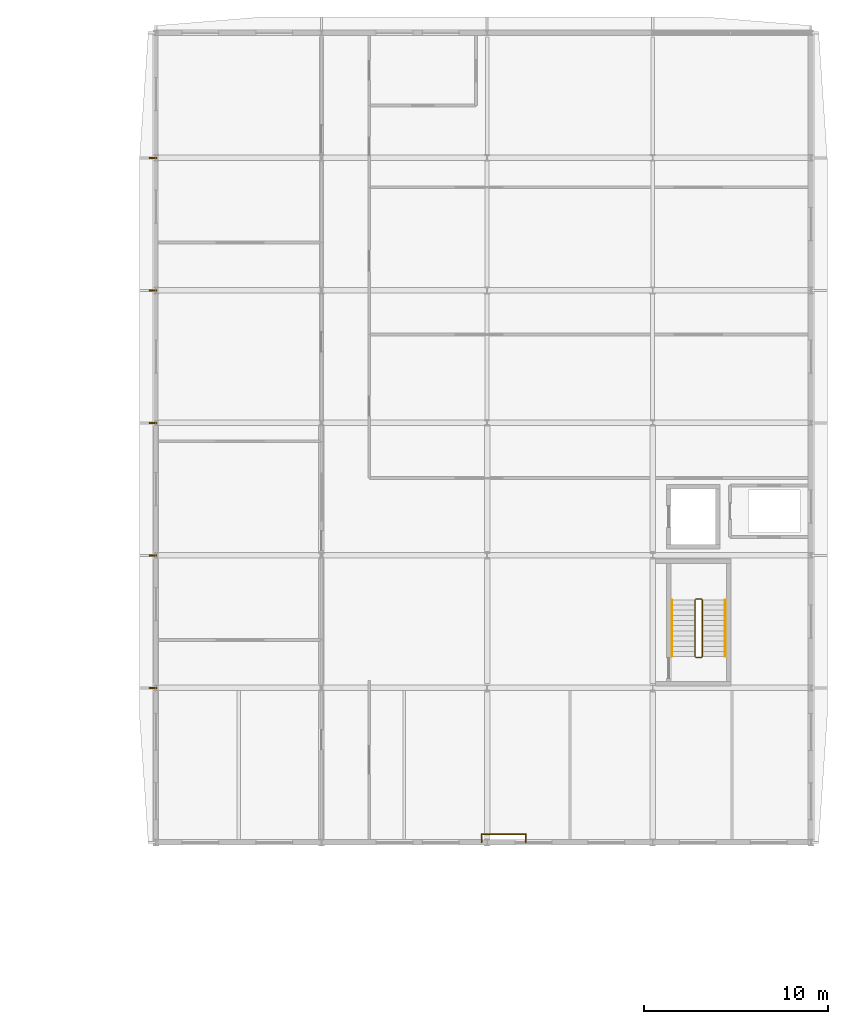
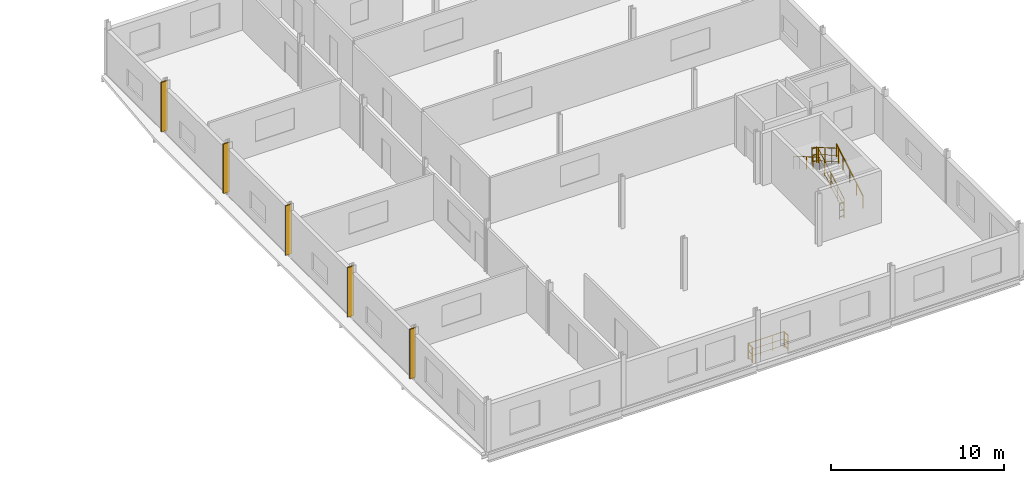
# One storey, part 30 of 30: 9 railings, 5 shading devices.
"""IFC4 building model written with IfcOpenShell, lengths in metres."""

from ifc_helpers import new_model, si_unit, direction, frame, origin, origin_2d, place, context, subcontext, project, spatial, rectangle, circle, extrude, material, type_object, element, save


model = new_model("IFC4")

# Units and contexts
model_context = context("Model", 3, precision=1e-05, world=origin(), true_north=direction((0.0, 1.0)))
body_context = subcontext(model_context, "Body", "Model", "MODEL_VIEW")
ifc_project = project(units=[si_unit("LENGTHUNIT", "METRE"), si_unit("AREAUNIT", "SQUARE_METRE"), si_unit("VOLUMEUNIT", "CUBIC_METRE"), si_unit("PLANEANGLEUNIT", "RADIAN"), si_unit("MASSUNIT", "GRAM", prefix="KILO")], contexts=[model_context])

# Site, building, storey
site_placement = place(None, origin())
site = spatial("IfcSite", under=ifc_project, at=site_placement, CompositionType="ELEMENT")
building_placement = place(site_placement, origin())
building = spatial("IfcBuilding", under=site, at=building_placement, Name="Vinh Khe Railworks Police Headquarters", CompositionType="ELEMENT")
storey_placement = place(building_placement, frame((0.0, 0.0, 21.0)))
storey = spatial("IfcBuildingStorey", under=building, at=storey_placement, Name="L05", CompositionType="ELEMENT", Elevation=21.0)

# Railings
ifc_material_1 = material(Name="Painted tubular steel", Category="steel")
railing_type_1 = type_object("IfcRailingType", Name="RL-GUARD-1100", PredefinedType="GUARDRAIL", material=ifc_material_1)
railing_1_placement = place(storey_placement, frame((107.699951171875, 132.5, 0.16259765625)))
element("IfcRailing", 1, at=railing_1_placement, inside=storey, type_object=railing_type_1, Name="L05 ST-03 stair guard 1", PredefinedType="GUARDRAIL", context=body_context, shape_type="SweptSolid", body=[
    extrude(circle(Radius=0.02392578125, at=origin_2d()), frame((0.0, 0.0, 1.076171875), z_axis=(0.0, 0.864920483161, 0.501908913857), x_axis=(-1.0, 0.0, 0.0)), (0.0, 0.0, 1.0), 3.56103515625),
    extrude(circle(Radius=0.01416015625, at=origin_2d()), frame((0.0, 0.0, 0.132080078125), z_axis=(0.0, 0.864920483161, 0.501908913857), x_axis=(-1.0, 0.0, 0.0)), (0.0, 0.0, 1.0), 3.56103515625),
    extrude(circle(Radius=0.01416015625, at=origin_2d()), frame((0.0, 0.0, 0.572021484375), z_axis=(0.0, 0.864920483161, 0.501908913857), x_axis=(-1.0, 0.0, 0.0)), (0.0, 0.0, 1.0), 3.56103515625),
    extrude(circle(Radius=0.02099609375, at=origin_2d()), origin(), (0.0, 0.0, 1.0), 1.052001953125),
    extrude(circle(Radius=0.02099609375, at=origin_2d()), frame((0.0, 0.77001953125, 0.44677734375)), (0.0, 0.0, 1.0), 1.052001953125),
    extrude(circle(Radius=0.02099609375, at=origin_2d()), frame((0.0, 1.5400390625, 0.8935546875)), (0.0, 0.0, 1.0), 1.052001953125),
    extrude(circle(Radius=0.02099609375, at=origin_2d()), frame((0.0, 2.31005859375, 1.340576171875)), (0.0, 0.0, 1.0), 1.052001953125),
    extrude(circle(Radius=0.02099609375, at=origin_2d()), frame((0.0, 3.080078125, 1.787353515625)), (0.0, 0.0, 1.0), 1.052001953125),
])
railing_2_placement = place(storey_placement, frame((107.64990234375, 135.6298828125, 1.949951171875)))
element("IfcRailing", 2, at=railing_2_placement, inside=storey, type_object=railing_type_1, Name="L05 ST-03 stair guard 2", PredefinedType="GUARDRAIL", context=body_context, shape_type="SweptSolid", body=[
    extrude(circle(Radius=0.02392578125, at=origin_2d()), frame((0.0, 0.0, 1.076171875), z_axis=(-1.0, 0.0, 0.0), x_axis=(0.0, -1.0, 0.0)), (0.0, 0.0, 1.0), 0.2998046875),
    extrude(circle(Radius=0.01416015625, at=origin_2d()), frame((0.0, 0.0, 0.132080078125), z_axis=(-1.0, 0.0, 0.0), x_axis=(0.0, -1.0, 0.0)), (0.0, 0.0, 1.0), 0.2998046875),
    extrude(circle(Radius=0.01416015625, at=origin_2d()), frame((0.0, 0.0, 0.572021484375), z_axis=(-1.0, 0.0, 0.0), x_axis=(0.0, -1.0, 0.0)), (0.0, 0.0, 1.0), 0.2998046875),
    extrude(circle(Radius=0.02099609375, at=origin_2d()), origin(), (0.0, 0.0, 1.0), 1.052001953125),
    extrude(circle(Radius=0.02099609375, at=origin_2d()), frame((-0.2998046875, 0.0, 0.0)), (0.0, 0.0, 1.0), 1.052001953125),
])
railing_3_placement = place(storey_placement, frame((107.300048828125, 135.580078125, 2.112548828125)))
element("IfcRailing", 3, at=railing_3_placement, inside=storey, type_object=railing_type_1, Name="L05 ST-03 stair guard 3", PredefinedType="GUARDRAIL", context=body_context, shape_type="SweptSolid", body=[
    extrude(circle(Radius=0.02392578125, at=origin_2d()), frame((0.0, 0.0, 1.076171875), z_axis=(0.0, -0.864920483161, 0.501908913857), x_axis=(1.0, 0.0, 0.0)), (0.0, 0.0, 1.0), 3.56103515625),
    extrude(circle(Radius=0.01416015625, at=origin_2d()), frame((0.0, 0.0, 0.132080078125), z_axis=(0.0, -0.864920483161, 0.501908913857), x_axis=(1.0, 0.0, 0.0)), (0.0, 0.0, 1.0), 3.56103515625),
    extrude(circle(Radius=0.01416015625, at=origin_2d()), frame((0.0, 0.0, 0.572021484375), z_axis=(0.0, -0.864920483161, 0.501908913857), x_axis=(1.0, 0.0, 0.0)), (0.0, 0.0, 1.0), 3.56103515625),
    extrude(circle(Radius=0.02099609375, at=origin_2d()), origin(), (0.0, 0.0, 1.0), 1.052001953125),
    extrude(circle(Radius=0.02099609375, at=origin_2d()), frame((0.0, -0.77001953125, 0.44677734375)), (0.0, 0.0, 1.0), 1.052001953125),
    extrude(circle(Radius=0.02099609375, at=origin_2d()), frame((0.0, -1.5400390625, 0.8935546875)), (0.0, 0.0, 1.0), 1.052001953125),
    extrude(circle(Radius=0.02099609375, at=origin_2d()), frame((0.0, -2.31005859375, 1.340576171875)), (0.0, 0.0, 1.0), 1.052001953125),
    extrude(circle(Radius=0.02099609375, at=origin_2d()), frame((0.0, -3.080078125, 1.787353515625)), (0.0, 0.0, 1.0), 1.052001953125),
])
railing_4_placement = place(storey_placement, frame((107.64990234375, 132.449951171875, 0.0)))
element("IfcRailing", 4, at=railing_4_placement, inside=storey, type_object=railing_type_1, Name="L05 ST-03 stair guard 4", PredefinedType="GUARDRAIL", context=body_context, shape_type="SweptSolid", body=[
    extrude(circle(Radius=0.02392578125, at=origin_2d()), frame((0.0, 0.0, 1.076171875), z_axis=(-1.0, 0.0, 0.0), x_axis=(0.0, -1.0, 0.0)), (0.0, 0.0, 1.0), 0.2998046875),
    extrude(circle(Radius=0.01416015625, at=origin_2d()), frame((0.0, 0.0, 0.132080078125), z_axis=(-1.0, 0.0, 0.0), x_axis=(0.0, -1.0, 0.0)), (0.0, 0.0, 1.0), 0.2998046875),
    extrude(circle(Radius=0.01416015625, at=origin_2d()), frame((0.0, 0.0, 0.572021484375), z_axis=(-1.0, 0.0, 0.0), x_axis=(0.0, -1.0, 0.0)), (0.0, 0.0, 1.0), 0.2998046875),
    extrude(circle(Radius=0.02099609375, at=origin_2d()), origin(), (0.0, 0.0, 1.0), 1.052001953125),
    extrude(circle(Radius=0.02099609375, at=origin_2d()), frame((-0.2998046875, 0.0, 0.0)), (0.0, 0.0, 1.0), 1.052001953125),
])
railing_5_placement = place(storey_placement, frame((95.699951171875, 122.39990234375, 0.0)))
element("IfcRailing", 5, at=railing_5_placement, inside=storey, type_object=railing_type_1, Name="Slab Corner Notch Guard L05-105", PredefinedType="GUARDRAIL", context=body_context, shape_type="SweptSolid", body=[
    extrude(circle(Radius=0.02392578125, at=origin_2d()), frame((0.0, 0.0, 1.09619140625), z_axis=(0.0, 1.0, 0.0), x_axis=(-1.0, 0.0, 0.0)), (0.0, 0.0, 1.0), 0.4501953125),
    extrude(circle(Radius=0.01416015625, at=origin_2d()), frame((0.0, 0.0, 0.134521484375), z_axis=(0.0, 1.0, 0.0), x_axis=(-1.0, 0.0, 0.0)), (0.0, 0.0, 1.0), 0.4501953125),
    extrude(circle(Radius=0.01416015625, at=origin_2d()), frame((0.0, 0.0, 0.58251953125), z_axis=(0.0, 1.0, 0.0), x_axis=(-1.0, 0.0, 0.0)), (0.0, 0.0, 1.0), 0.4501953125),
    extrude(circle(Radius=0.02099609375, at=origin_2d()), origin(), (0.0, 0.0, 1.0), 1.072021484375),
    extrude(circle(Radius=0.02099609375, at=origin_2d()), frame((0.0, 0.4501953125, 0.0)), (0.0, 0.0, 1.0), 1.072021484375),
])
railing_6_placement = place(storey_placement, frame((95.699951171875, 122.85009765625, 0.0)))
element("IfcRailing", 6, at=railing_6_placement, inside=storey, type_object=railing_type_1, Name="Slab Corner Notch Guard L05-106", PredefinedType="GUARDRAIL", context=body_context, shape_type="SweptSolid", body=[
    extrude(circle(Radius=0.02392578125, at=origin_2d()), frame((0.0, 0.0, 1.09619140625), z_axis=(1.0, 0.0, 0.0), x_axis=(0.0, 1.0, 0.0)), (0.0, 0.0, 1.0), 2.400146484375),
    extrude(circle(Radius=0.01416015625, at=origin_2d()), frame((0.0, 0.0, 0.134521484375), z_axis=(1.0, 0.0, 0.0), x_axis=(0.0, 1.0, 0.0)), (0.0, 0.0, 1.0), 2.400146484375),
    extrude(circle(Radius=0.01416015625, at=origin_2d()), frame((0.0, 0.0, 0.58251953125), z_axis=(1.0, 0.0, 0.0), x_axis=(0.0, 1.0, 0.0)), (0.0, 0.0, 1.0), 2.400146484375),
    extrude(circle(Radius=0.02099609375, at=origin_2d()), origin(), (0.0, 0.0, 1.0), 1.072021484375),
    extrude(circle(Radius=0.02099609375, at=origin_2d()), frame((0.800048828125, 0.0, 0.0)), (0.0, 0.0, 1.0), 1.072021484375),
    extrude(circle(Radius=0.02099609375, at=origin_2d()), frame((1.60009765625, 0.0, 0.0)), (0.0, 0.0, 1.0), 1.072021484375),
    extrude(circle(Radius=0.02099609375, at=origin_2d()), frame((2.400146484375, 0.0, 0.0)), (0.0, 0.0, 1.0), 1.072021484375),
])
railing_7_placement = place(storey_placement, frame((98.10009765625, 122.85009765625, 0.0)))
element("IfcRailing", 7, at=railing_7_placement, inside=storey, type_object=railing_type_1, Name="Slab Corner Notch Guard L05-107", PredefinedType="GUARDRAIL", context=body_context, shape_type="SweptSolid", body=[
    extrude(circle(Radius=0.02392578125, at=origin_2d()), frame((0.0, 0.0, 1.09619140625), z_axis=(0.0, -1.0, 0.0), x_axis=(1.0, 0.0, 0.0)), (0.0, 0.0, 1.0), 0.4501953125),
    extrude(circle(Radius=0.01416015625, at=origin_2d()), frame((0.0, 0.0, 0.134521484375), z_axis=(0.0, -1.0, 0.0), x_axis=(1.0, 0.0, 0.0)), (0.0, 0.0, 1.0), 0.4501953125),
    extrude(circle(Radius=0.01416015625, at=origin_2d()), frame((0.0, 0.0, 0.58251953125), z_axis=(0.0, -1.0, 0.0), x_axis=(1.0, 0.0, 0.0)), (0.0, 0.0, 1.0), 0.4501953125),
    extrude(circle(Radius=0.02099609375, at=origin_2d()), origin(), (0.0, 0.0, 1.0), 1.072021484375),
    extrude(circle(Radius=0.02099609375, at=origin_2d()), frame((0.0, -0.4501953125, 0.0)), (0.0, 0.0, 1.0), 1.072021484375),
])
ifc_material_2 = material(Name="Brushed stainless steel", Category="steel")
railing_type_2 = type_object("IfcRailingType", Name="RL-HAND-900", PredefinedType="HANDRAIL", material=ifc_material_2)
railing_8_placement = place(storey_placement, frame((108.949951171875, 132.5, 0.16259765625)))
element("IfcRailing", 8, at=railing_8_placement, inside=storey, type_object=railing_type_2, Name="L05 ST-03 stair handrail 1", PredefinedType="HANDRAIL", context=body_context, shape_type="SweptSolid", body=[
    extrude(circle(Radius=0.02392578125, at=origin_2d()), frame((0.0, 0.0, 0.8759765625), z_axis=(0.0, 0.864920483161, 0.501908913857), x_axis=(-1.0, 0.0, 0.0)), (0.0, 0.0, 1.0), 3.56103515625),
    extrude(circle(Radius=0.02099609375, at=origin_2d()), origin(), (0.0, 0.0, 1.0), 0.851806640625),
    extrude(circle(Radius=0.02099609375, at=origin_2d()), frame((0.0, 0.77001953125, 0.44677734375)), (0.0, 0.0, 1.0), 0.851806640625),
    extrude(circle(Radius=0.02099609375, at=origin_2d()), frame((0.0, 1.5400390625, 0.8935546875)), (0.0, 0.0, 1.0), 0.851806640625),
    extrude(circle(Radius=0.02099609375, at=origin_2d()), frame((0.0, 2.31005859375, 1.340576171875)), (0.0, 0.0, 1.0), 0.851806640625),
    extrude(circle(Radius=0.02099609375, at=origin_2d()), frame((0.0, 3.080078125, 1.787353515625)), (0.0, 0.0, 1.0), 0.851806640625),
])
railing_9_placement = place(storey_placement, frame((106.050048828125, 135.580078125, 2.112548828125)))
element("IfcRailing", 9, at=railing_9_placement, inside=storey, type_object=railing_type_2, Name="L05 ST-03 stair handrail 2", PredefinedType="HANDRAIL", context=body_context, shape_type="SweptSolid", body=[
    extrude(circle(Radius=0.02392578125, at=origin_2d()), frame((0.0, 0.0, 0.8759765625), z_axis=(0.0, -0.864920483161, 0.501908913857), x_axis=(1.0, 0.0, 0.0)), (0.0, 0.0, 1.0), 3.56103515625),
    extrude(circle(Radius=0.02099609375, at=origin_2d()), origin(), (0.0, 0.0, 1.0), 0.851806640625),
    extrude(circle(Radius=0.02099609375, at=origin_2d()), frame((0.0, -0.77001953125, 0.44677734375)), (0.0, 0.0, 1.0), 0.851806640625),
    extrude(circle(Radius=0.02099609375, at=origin_2d()), frame((0.0, -1.5400390625, 0.8935546875)), (0.0, 0.0, 1.0), 0.851806640625),
    extrude(circle(Radius=0.02099609375, at=origin_2d()), frame((0.0, -2.31005859375, 1.340576171875)), (0.0, 0.0, 1.0), 0.851806640625),
    extrude(circle(Radius=0.02099609375, at=origin_2d()), frame((0.0, -3.080078125, 1.787353515625)), (0.0, 0.0, 1.0), 0.851806640625),
])

# Shading devices
ifc_material_3 = material(Name="Salvaged ironwood timber", Category="wood")
shading_device_type = type_object("IfcShadingDeviceType", Name="SHD-MSF-01", PredefinedType="JALOUSIE", material=ifc_material_3)
for number, where, z_axis, x_axis, name in (
    (10, (77.840087890625, 130.800048828125, 0.10009765625), (0.0, 0.0, 1.0), (1.0, 0.0, 0.0), "Monsoon Court Solar Fin V6 L05-1"),
    (11, (77.840087890625, 138.0, 0.10009765625), (0.0, 0.0, 1.0), (1.0, 0.0, 0.0), "Monsoon Court Solar Fin V6 L05-2"),
    (12, (77.840087890625, 145.199951171875, 0.10009765625), (0.0, 0.0, 1.0), (1.0, 0.0, 0.0), "Monsoon Court Solar Fin V6 L05-3"),
    (13, (77.840087890625, 152.39990234375, 0.10009765625), (0.0, 0.0, 1.0), (1.0, 0.0, 0.0), "Monsoon Court Solar Fin V6 L05-4"),
    (14, (77.840087890625, 159.60009765625, 0.10009765625), (0.0, 0.0, 1.0), (1.0, 0.0, 0.0), "Monsoon Court Solar Fin V6 L05-5"),
):
    element("IfcShadingDevice", number, at=place(storey_placement, frame(where, z_axis=z_axis, x_axis=x_axis)), inside=storey, type_object=shading_device_type, Name=name, PredefinedType="JALOUSIE", context=body_context, shape_type="SweptSolid", body=[
        extrude(rectangle(XDim=0.419921875, YDim=0.080078125, at=origin_2d()), origin(), (0.0, 0.0, 1.0), 3.5),
    ])

save(model, "model.ifc")
